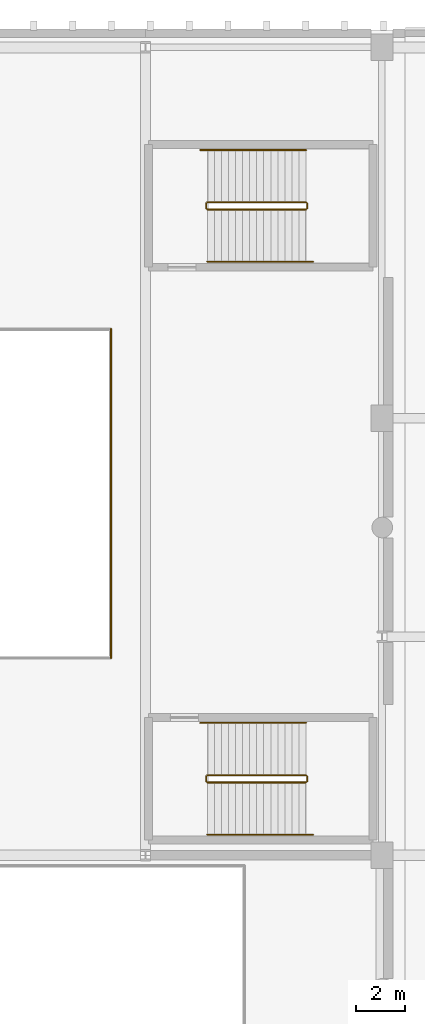
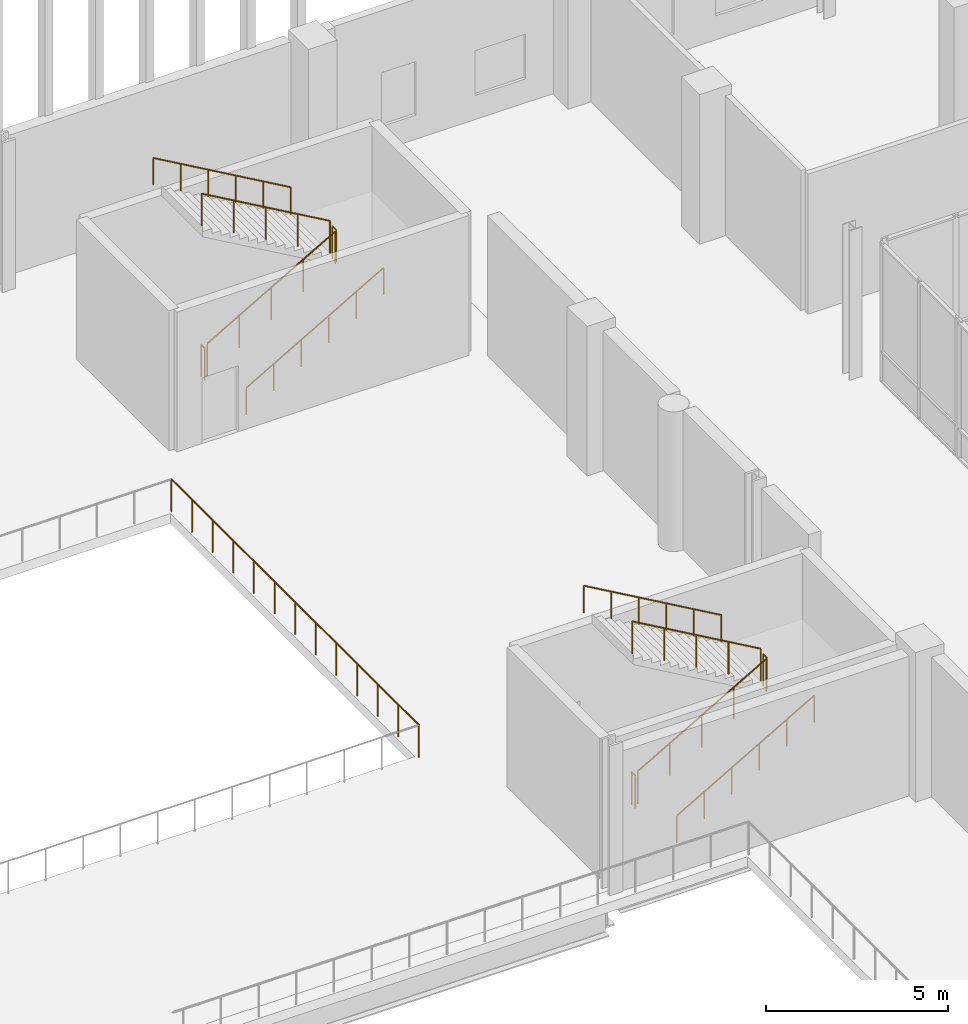
# One storey, part 77 of 81: 13 railings.
"""IFC4 building model written with IfcOpenShell, lengths in metres."""

from ifc_helpers import new_model, si_unit, direction, frame, origin, origin_2d, place, context, subcontext, project, spatial, circle, extrude, material, type_object, element, save


model = new_model("IFC4")

# Units and contexts
model_context = context("Model", 3, precision=1e-05, world=origin(), true_north=direction((0.0, 1.0)))
body_context = subcontext(model_context, "Body", "Model", "MODEL_VIEW")
ifc_project = project(units=[si_unit("LENGTHUNIT", "METRE"), si_unit("AREAUNIT", "SQUARE_METRE"), si_unit("VOLUMEUNIT", "CUBIC_METRE"), si_unit("PLANEANGLEUNIT", "RADIAN"), si_unit("MASSUNIT", "GRAM", prefix="KILO")], contexts=[model_context])

# Site, building, storey
site_placement = place(None, origin())
site = spatial("IfcSite", under=ifc_project, at=site_placement, CompositionType="ELEMENT")
building_placement = place(site_placement, origin())
building = spatial("IfcBuilding", under=site, at=building_placement, Name="Trimount Lyric Opera House", CompositionType="ELEMENT")
storey_placement = place(building_placement, frame((0.0, 0.0, 5.0)))
storey = spatial("IfcBuildingStorey", under=building, at=storey_placement, Name="L01", CompositionType="ELEMENT", Elevation=5.0)

# Railings
ifc_material_1 = material(Name="Brushed Stainless Steel 316", Category="steel")
railing_type_1 = type_object("IfcRailingType", Name="RL-GRD110", PredefinedType="GUARDRAIL", material=ifc_material_1)
railing_1_placement = place(storey_placement, frame((106.550048828125, 110.60009765625, 0.166748046875)))
element("IfcRailing", 1, at=railing_1_placement, inside=storey, type_object=railing_type_1, Name="L01 ST-02 stair guard 1", PredefinedType="GUARDRAIL", context=body_context, shape_type="SweptSolid", body=[
    extrude(circle(Radius=0.02392578125, at=origin_2d()), frame((0.0, 0.0, 1.076171875), z_axis=(0.867024558463, 0.0, 0.498265406207), x_axis=(0.0, 1.0, 0.0)), (0.0, 0.0, 1.0), 4.682861328125),
    extrude(circle(Radius=0.02099609375, at=origin_2d()), origin(), (0.0, 0.0, 1.0), 1.052001953125),
    extrude(circle(Radius=0.02099609375, at=origin_2d()), frame((1.01513671875, 0.0, 0.583251953125)), (0.0, 0.0, 1.0), 1.052001953125),
    extrude(circle(Radius=0.02099609375, at=origin_2d()), frame((2.030029296875, 0.0, 1.16650390625)), (0.0, 0.0, 1.0), 1.052001953125),
    extrude(circle(Radius=0.02099609375, at=origin_2d()), frame((3.044921875, 0.0, 1.75)), (0.0, 0.0, 1.0), 1.052001953125),
    extrude(circle(Radius=0.02099609375, at=origin_2d()), frame((4.06005859375, 0.0, 2.333251953125)), (0.0, 0.0, 1.0), 1.052001953125),
])
railing_2_placement = place(storey_placement, frame((110.659912109375, 110.64990234375, 2.5)))
element("IfcRailing", 2, at=railing_2_placement, inside=storey, type_object=railing_type_1, Name="L01 ST-02 stair guard 2", PredefinedType="GUARDRAIL", context=body_context, shape_type="SweptSolid", body=[
    extrude(circle(Radius=0.02392578125, at=origin_2d()), frame((0.0, 0.0, 1.076171875), z_axis=(0.0, 1.0, 0.0), x_axis=(-1.0, 0.0, 0.0)), (0.0, 0.0, 1.0), 0.2001953125),
    extrude(circle(Radius=0.02099609375, at=origin_2d()), origin(), (0.0, 0.0, 1.0), 1.052001953125),
    extrude(circle(Radius=0.02099609375, at=origin_2d()), frame((0.0, 0.2001953125, 0.0)), (0.0, 0.0, 1.0), 1.052001953125),
])
railing_3_placement = place(storey_placement, frame((110.610107421875, 110.89990234375, 2.666748046875)))
element("IfcRailing", 3, at=railing_3_placement, inside=storey, type_object=railing_type_1, Name="L01 ST-02 stair guard 3", PredefinedType="GUARDRAIL", context=body_context, shape_type="SweptSolid", body=[
    extrude(circle(Radius=0.02392578125, at=origin_2d()), frame((0.0, 0.0, 1.076171875), z_axis=(-0.867024558463, 0.0, 0.498265406207), x_axis=(0.0, -1.0, 0.0)), (0.0, 0.0, 1.0), 4.682861328125),
    extrude(circle(Radius=0.02099609375, at=origin_2d()), origin(), (0.0, 0.0, 1.0), 1.052001953125),
    extrude(circle(Radius=0.02099609375, at=origin_2d()), frame((-1.01513671875, 0.0, 0.583251953125)), (0.0, 0.0, 1.0), 1.052001953125),
    extrude(circle(Radius=0.02099609375, at=origin_2d()), frame((-2.030029296875, 0.0, 1.16650390625)), (0.0, 0.0, 1.0), 1.052001953125),
    extrude(circle(Radius=0.02099609375, at=origin_2d()), frame((-3.044921875, 0.0, 1.75)), (0.0, 0.0, 1.0), 1.052001953125),
    extrude(circle(Radius=0.02099609375, at=origin_2d()), frame((-4.06005859375, 0.0, 2.333251953125)), (0.0, 0.0, 1.0), 1.052001953125),
])
railing_4_placement = place(storey_placement, frame((106.5, 110.64990234375, 0.0)))
element("IfcRailing", 4, at=railing_4_placement, inside=storey, type_object=railing_type_1, Name="L01 ST-02 stair guard 4", PredefinedType="GUARDRAIL", context=body_context, shape_type="SweptSolid", body=[
    extrude(circle(Radius=0.02392578125, at=origin_2d()), frame((0.0, 0.0, 1.076171875), z_axis=(0.0, 1.0, 0.0), x_axis=(-1.0, 0.0, 0.0)), (0.0, 0.0, 1.0), 0.2001953125),
    extrude(circle(Radius=0.02099609375, at=origin_2d()), origin(), (0.0, 0.0, 1.0), 1.052001953125),
    extrude(circle(Radius=0.02099609375, at=origin_2d()), frame((0.0, 0.2001953125, 0.0)), (0.0, 0.0, 1.0), 1.052001953125),
])
railing_5_placement = place(storey_placement, frame((106.550048828125, 87.0, 0.166748046875)))
element("IfcRailing", 5, at=railing_5_placement, inside=storey, type_object=railing_type_1, Name="L01 ST-04 stair guard 1", PredefinedType="GUARDRAIL", context=body_context, shape_type="SweptSolid", body=[
    extrude(circle(Radius=0.02392578125, at=origin_2d()), frame((0.0, 0.0, 1.076171875), z_axis=(0.867024558463, 0.0, 0.498265406207), x_axis=(0.0, 1.0, 0.0)), (0.0, 0.0, 1.0), 4.682861328125),
    extrude(circle(Radius=0.02099609375, at=origin_2d()), origin(), (0.0, 0.0, 1.0), 1.052001953125),
    extrude(circle(Radius=0.02099609375, at=origin_2d()), frame((1.01513671875, 0.0, 0.583251953125)), (0.0, 0.0, 1.0), 1.052001953125),
    extrude(circle(Radius=0.02099609375, at=origin_2d()), frame((2.030029296875, 0.0, 1.16650390625)), (0.0, 0.0, 1.0), 1.052001953125),
    extrude(circle(Radius=0.02099609375, at=origin_2d()), frame((3.044921875, 0.0, 1.75)), (0.0, 0.0, 1.0), 1.052001953125),
    extrude(circle(Radius=0.02099609375, at=origin_2d()), frame((4.06005859375, 0.0, 2.333251953125)), (0.0, 0.0, 1.0), 1.052001953125),
])
railing_6_placement = place(storey_placement, frame((110.659912109375, 87.050048828125, 2.5)))
element("IfcRailing", 6, at=railing_6_placement, inside=storey, type_object=railing_type_1, Name="L01 ST-04 stair guard 2", PredefinedType="GUARDRAIL", context=body_context, shape_type="SweptSolid", body=[
    extrude(circle(Radius=0.02392578125, at=origin_2d()), frame((0.0, 0.0, 1.076171875), z_axis=(0.0, 1.0, 0.0), x_axis=(-1.0, 0.0, 0.0)), (0.0, 0.0, 1.0), 0.199951171875),
    extrude(circle(Radius=0.02099609375, at=origin_2d()), origin(), (0.0, 0.0, 1.0), 1.052001953125),
    extrude(circle(Radius=0.02099609375, at=origin_2d()), frame((0.0, 0.199951171875, 0.0)), (0.0, 0.0, 1.0), 1.052001953125),
])
railing_7_placement = place(storey_placement, frame((110.610107421875, 87.300048828125, 2.666748046875)))
element("IfcRailing", 7, at=railing_7_placement, inside=storey, type_object=railing_type_1, Name="L01 ST-04 stair guard 3", PredefinedType="GUARDRAIL", context=body_context, shape_type="SweptSolid", body=[
    extrude(circle(Radius=0.02392578125, at=origin_2d()), frame((0.0, 0.0, 1.076171875), z_axis=(-0.867024558463, 0.0, 0.498265406207), x_axis=(0.0, -1.0, 0.0)), (0.0, 0.0, 1.0), 4.682861328125),
    extrude(circle(Radius=0.02099609375, at=origin_2d()), origin(), (0.0, 0.0, 1.0), 1.052001953125),
    extrude(circle(Radius=0.02099609375, at=origin_2d()), frame((-1.01513671875, 0.0, 0.583251953125)), (0.0, 0.0, 1.0), 1.052001953125),
    extrude(circle(Radius=0.02099609375, at=origin_2d()), frame((-2.030029296875, 0.0, 1.16650390625)), (0.0, 0.0, 1.0), 1.052001953125),
    extrude(circle(Radius=0.02099609375, at=origin_2d()), frame((-3.044921875, 0.0, 1.75)), (0.0, 0.0, 1.0), 1.052001953125),
    extrude(circle(Radius=0.02099609375, at=origin_2d()), frame((-4.06005859375, 0.0, 2.333251953125)), (0.0, 0.0, 1.0), 1.052001953125),
])
railing_8_placement = place(storey_placement, frame((106.5, 87.050048828125, 0.0)))
element("IfcRailing", 8, at=railing_8_placement, inside=storey, type_object=railing_type_1, Name="L01 ST-04 stair guard 4", PredefinedType="GUARDRAIL", context=body_context, shape_type="SweptSolid", body=[
    extrude(circle(Radius=0.02392578125, at=origin_2d()), frame((0.0, 0.0, 1.076171875), z_axis=(0.0, 1.0, 0.0), x_axis=(-1.0, 0.0, 0.0)), (0.0, 0.0, 1.0), 0.199951171875),
    extrude(circle(Radius=0.02099609375, at=origin_2d()), origin(), (0.0, 0.0, 1.0), 1.052001953125),
    extrude(circle(Radius=0.02099609375, at=origin_2d()), frame((0.0, 0.199951171875, 0.0)), (0.0, 0.0, 1.0), 1.052001953125),
])
railing_9_placement = place(storey_placement, frame((102.580078125, 92.1201171875, 0.0)))
element("IfcRailing", 9, at=railing_9_placement, inside=storey, type_object=railing_type_1, Name="L01 atrium and balcony guard GRD-FLY-L01-E", PredefinedType="GUARDRAIL", context=body_context, shape_type="SweptSolid", body=[
    extrude(circle(Radius=0.02392578125, at=origin_2d()), frame((0.0, 0.0, 1.076171875), z_axis=(0.0, 1.0, 0.0), x_axis=(-1.0, 0.0, 0.0)), (0.0, 0.0, 1.0), 13.559814453125),
    extrude(circle(Radius=0.02099609375, at=origin_2d()), origin(), (0.0, 0.0, 1.0), 1.052001953125),
    extrude(circle(Radius=0.02099609375, at=origin_2d()), frame((0.0, 1.1298828125, 0.0)), (0.0, 0.0, 1.0), 1.052001953125),
    extrude(circle(Radius=0.02099609375, at=origin_2d()), frame((0.0, 2.260009765625, 0.0)), (0.0, 0.0, 1.0), 1.052001953125),
    extrude(circle(Radius=0.02099609375, at=origin_2d()), frame((0.0, 3.389892578125, 0.0)), (0.0, 0.0, 1.0), 1.052001953125),
    extrude(circle(Radius=0.02099609375, at=origin_2d()), frame((0.0, 4.52001953125, 0.0)), (0.0, 0.0, 1.0), 1.052001953125),
    extrude(circle(Radius=0.02099609375, at=origin_2d()), frame((0.0, 5.64990234375, 0.0)), (0.0, 0.0, 1.0), 1.052001953125),
    extrude(circle(Radius=0.02099609375, at=origin_2d()), frame((0.0, 6.77978515625, 0.0)), (0.0, 0.0, 1.0), 1.052001953125),
    extrude(circle(Radius=0.02099609375, at=origin_2d()), frame((0.0, 7.909912109375, 0.0)), (0.0, 0.0, 1.0), 1.052001953125),
    extrude(circle(Radius=0.02099609375, at=origin_2d()), frame((0.0, 9.039794921875, 0.0)), (0.0, 0.0, 1.0), 1.052001953125),
    extrude(circle(Radius=0.02099609375, at=origin_2d()), frame((0.0, 10.169921875, 0.0)), (0.0, 0.0, 1.0), 1.052001953125),
    extrude(circle(Radius=0.02099609375, at=origin_2d()), frame((0.0, 11.2998046875, 0.0)), (0.0, 0.0, 1.0), 1.052001953125),
    extrude(circle(Radius=0.02099609375, at=origin_2d()), frame((0.0, 12.429931640625, 0.0)), (0.0, 0.0, 1.0), 1.052001953125),
    extrude(circle(Radius=0.02099609375, at=origin_2d()), frame((0.0, 13.559814453125, 0.0)), (0.0, 0.0, 1.0), 1.052001953125),
])
ifc_material_2 = material(Name="Brushed Stainless Steel 316", Category="steel")
railing_type_2 = type_object("IfcRailingType", Name="RL-HND092", PredefinedType="HANDRAIL", material=ifc_material_2)
railing_10_placement = place(storey_placement, frame((106.550048828125, 108.449951171875, 0.166748046875)))
element("IfcRailing", 10, at=railing_10_placement, inside=storey, type_object=railing_type_2, Name="L01 ST-02 stair handrail 1", PredefinedType="HANDRAIL", context=body_context, shape_type="SweptSolid", body=[
    extrude(circle(Radius=0.0224609375, at=origin_2d()), frame((0.0, 0.0, 0.8974609375), z_axis=(0.866754379005, 0.0, 0.498735246875), x_axis=(0.0, 1.0, 0.0)), (0.0, 0.0, 1.0), 5.0185546875),
    extrude(circle(Radius=0.02099609375, at=origin_2d()), origin(), (0.0, 0.0, 1.0), 0.875),
    extrude(circle(Radius=0.02099609375, at=origin_2d()), frame((0.869873046875, 0.0, 0.50048828125)), (0.0, 0.0, 1.0), 0.875),
    extrude(circle(Radius=0.02099609375, at=origin_2d()), frame((1.739990234375, 0.0, 1.001220703125)), (0.0, 0.0, 1.0), 0.875),
    extrude(circle(Radius=0.02099609375, at=origin_2d()), frame((2.60986328125, 0.0, 1.501708984375)), (0.0, 0.0, 1.0), 0.875),
    extrude(circle(Radius=0.02099609375, at=origin_2d()), frame((3.47998046875, 0.0, 2.00244140625)), (0.0, 0.0, 1.0), 0.875),
    extrude(circle(Radius=0.02099609375, at=origin_2d()), frame((4.349853515625, 0.0, 2.5029296875)), (0.0, 0.0, 1.0), 0.875),
])
railing_11_placement = place(storey_placement, frame((110.610107421875, 113.050048828125, 2.666748046875)))
element("IfcRailing", 11, at=railing_11_placement, inside=storey, type_object=railing_type_2, Name="L01 ST-02 stair handrail 2", PredefinedType="HANDRAIL", context=body_context, shape_type="SweptSolid", body=[
    extrude(circle(Radius=0.0224609375, at=origin_2d()), frame((0.0, 0.0, 0.8974609375), z_axis=(-0.866766478692, 0.0, 0.498714218181), x_axis=(0.0, -1.0, 0.0)), (0.0, 0.0, 1.0), 5.018798828125),
    extrude(circle(Radius=0.02099609375, at=origin_2d()), origin(), (0.0, 0.0, 1.0), 0.875),
    extrude(circle(Radius=0.02099609375, at=origin_2d()), frame((-0.8701171875, 0.0, 0.50048828125)), (0.0, 0.0, 1.0), 0.875),
    extrude(circle(Radius=0.02099609375, at=origin_2d()), frame((-1.739990234375, 0.0, 1.001220703125)), (0.0, 0.0, 1.0), 0.875),
    extrude(circle(Radius=0.02099609375, at=origin_2d()), frame((-2.610107421875, 0.0, 1.501708984375)), (0.0, 0.0, 1.0), 0.875),
    extrude(circle(Radius=0.02099609375, at=origin_2d()), frame((-3.47998046875, 0.0, 2.00244140625)), (0.0, 0.0, 1.0), 0.875),
    extrude(circle(Radius=0.02099609375, at=origin_2d()), frame((-4.35009765625, 0.0, 2.5029296875)), (0.0, 0.0, 1.0), 0.875),
])
railing_12_placement = place(storey_placement, frame((106.550048828125, 84.85009765625, 0.166748046875)))
element("IfcRailing", 12, at=railing_12_placement, inside=storey, type_object=railing_type_2, Name="L01 ST-04 stair handrail 1", PredefinedType="HANDRAIL", context=body_context, shape_type="SweptSolid", body=[
    extrude(circle(Radius=0.0224609375, at=origin_2d()), frame((0.0, 0.0, 0.8974609375), z_axis=(0.866754379005, 0.0, 0.498735246875), x_axis=(0.0, 1.0, 0.0)), (0.0, 0.0, 1.0), 5.0185546875),
    extrude(circle(Radius=0.02099609375, at=origin_2d()), origin(), (0.0, 0.0, 1.0), 0.875),
    extrude(circle(Radius=0.02099609375, at=origin_2d()), frame((0.869873046875, 0.0, 0.50048828125)), (0.0, 0.0, 1.0), 0.875),
    extrude(circle(Radius=0.02099609375, at=origin_2d()), frame((1.739990234375, 0.0, 1.001220703125)), (0.0, 0.0, 1.0), 0.875),
    extrude(circle(Radius=0.02099609375, at=origin_2d()), frame((2.60986328125, 0.0, 1.501708984375)), (0.0, 0.0, 1.0), 0.875),
    extrude(circle(Radius=0.02099609375, at=origin_2d()), frame((3.47998046875, 0.0, 2.00244140625)), (0.0, 0.0, 1.0), 0.875),
    extrude(circle(Radius=0.02099609375, at=origin_2d()), frame((4.349853515625, 0.0, 2.5029296875)), (0.0, 0.0, 1.0), 0.875),
])
railing_13_placement = place(storey_placement, frame((110.610107421875, 89.449951171875, 2.666748046875)))
element("IfcRailing", 13, at=railing_13_placement, inside=storey, type_object=railing_type_2, Name="L01 ST-04 stair handrail 2", PredefinedType="HANDRAIL", context=body_context, shape_type="SweptSolid", body=[
    extrude(circle(Radius=0.0224609375, at=origin_2d()), frame((0.0, 0.0, 0.8974609375), z_axis=(-0.866766478692, 0.0, 0.498714218181), x_axis=(0.0, -1.0, 0.0)), (0.0, 0.0, 1.0), 5.018798828125),
    extrude(circle(Radius=0.02099609375, at=origin_2d()), origin(), (0.0, 0.0, 1.0), 0.875),
    extrude(circle(Radius=0.02099609375, at=origin_2d()), frame((-0.8701171875, 0.0, 0.50048828125)), (0.0, 0.0, 1.0), 0.875),
    extrude(circle(Radius=0.02099609375, at=origin_2d()), frame((-1.739990234375, 0.0, 1.001220703125)), (0.0, 0.0, 1.0), 0.875),
    extrude(circle(Radius=0.02099609375, at=origin_2d()), frame((-2.610107421875, 0.0, 1.501708984375)), (0.0, 0.0, 1.0), 0.875),
    extrude(circle(Radius=0.02099609375, at=origin_2d()), frame((-3.47998046875, 0.0, 2.00244140625)), (0.0, 0.0, 1.0), 0.875),
    extrude(circle(Radius=0.02099609375, at=origin_2d()), frame((-4.35009765625, 0.0, 2.5029296875)), (0.0, 0.0, 1.0), 0.875),
])

save(model, "model.ifc")
